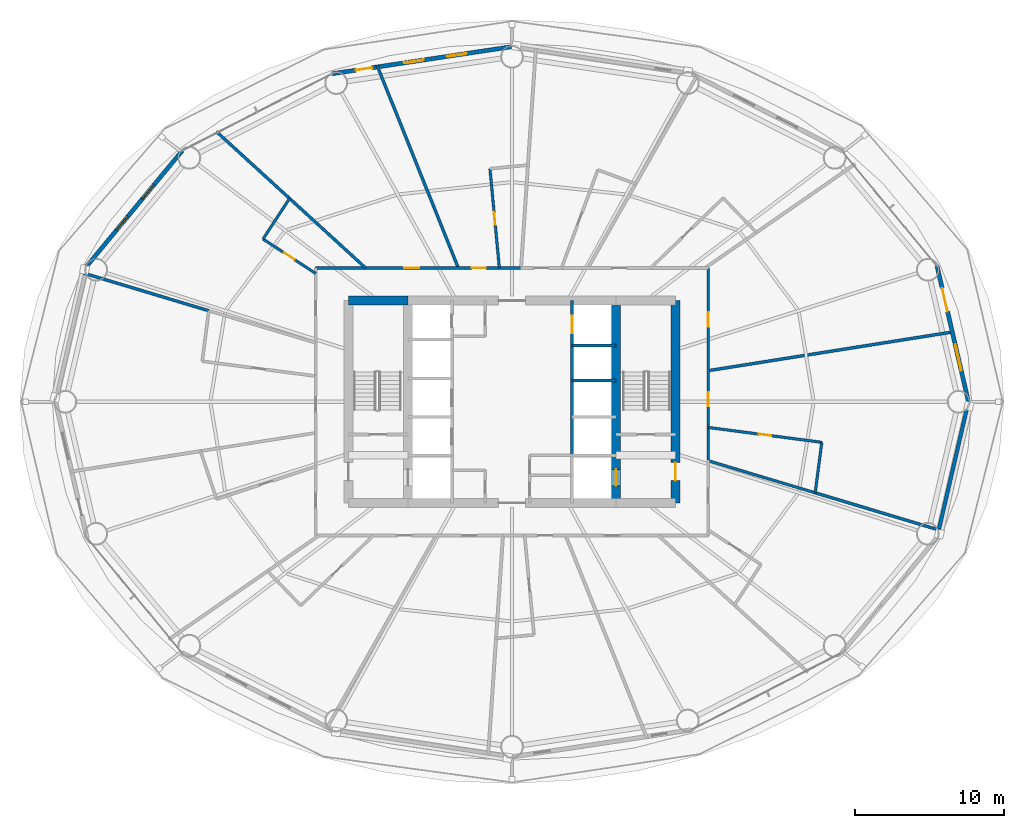
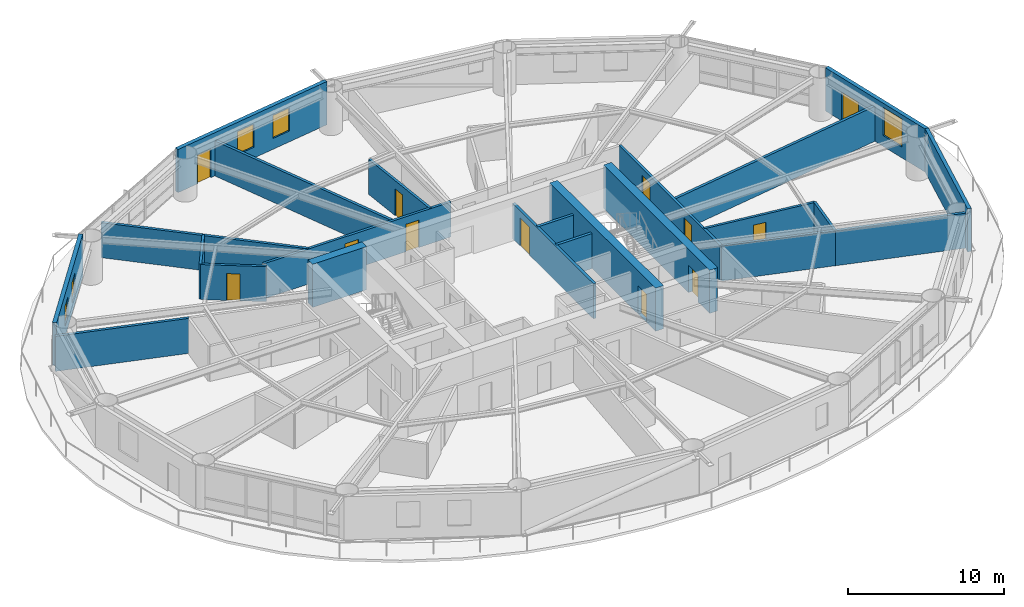
# One storey, part 24 of 28: 23 walls, 12 doors, 5 windows, 17 openings.
"""IFC4 building model written with IfcOpenShell, lengths in metres."""

from ifc_helpers import new_model, si_unit, direction, frame, frame_2d, origin, place, context, subcontext, project, spatial, rectangle, extrude, material, layer, layer_set, type_object, element, fill, save


model = new_model("IFC4")

# Units and contexts
model_context = context("Model", 3, precision=1e-05, world=origin(), true_north=direction((0.0, 1.0)))
body_context = subcontext(model_context, "Body", "Model", "MODEL_VIEW")
ifc_project = project(units=[si_unit("LENGTHUNIT", "METRE"), si_unit("AREAUNIT", "SQUARE_METRE"), si_unit("VOLUMEUNIT", "CUBIC_METRE"), si_unit("PLANEANGLEUNIT", "RADIAN"), si_unit("MASSUNIT", "GRAM", prefix="KILO")], contexts=[model_context])

# Site, building, storey
site_placement = place(None, origin())
site = spatial("IfcSite", under=ifc_project, at=site_placement, CompositionType="ELEMENT")
building_placement = place(site_placement, origin())
building = spatial("IfcBuilding", under=site, at=building_placement, Name="Sarneth Arch Tower", CompositionType="ELEMENT")
storey_placement = place(building_placement, frame((0.0, 0.0, 67.800048828125)))
storey = spatial("IfcBuildingStorey", under=building, at=storey_placement, Name="L16", CompositionType="ELEMENT", Elevation=67.800048828125)

# Wall
ifc_material_1 = material(Name="Concrete C60/75", Category="concrete")
ifc_layer_1 = layer(ifc_material_1, 0.60009765625)
ifc_layer_set_1 = layer_set([ifc_layer_1], Name="Concrete C60/75")
wall_type_1 = type_object("IfcWallType", Name="WALL-CORE-600", PredefinedType="SHEAR", material=ifc_layer_set_1)
wall_1_placement = place(storey_placement, frame((37.0, 48.800048828125, 0.0), z_axis=(0.0, 0.0, 1.0), x_axis=(1.0, 0.0, 0.0)))
element("IfcWall", 1, at=wall_1_placement, inside=storey, type_object=wall_type_1, Name="L16 Core shear wall N-W", PredefinedType="SHEAR", context=body_context, shape_type="SweptSolid", body=[
    extrude(rectangle(XDim=4.0, YDim=0.60009765625, at=frame_2d((2.0, 0.0))), origin(), (0.0, 0.0, 1.0), 3.3798828125),
])

# Wall, opening, door
wall_2_placement = place(storey_placement, frame((59.0, 35.199951171875, 0.0), z_axis=(0.0, 0.0, 1.0), x_axis=(0.0, 1.0, 0.0)))
wall_2 = element("IfcWall", 2, at=wall_2_placement, inside=storey, type_object=wall_type_1, Name="L16 Core shear wall E", PredefinedType="SHEAR", context=body_context, shape_type="SweptSolid", body=[
    extrude(rectangle(XDim=13.60009765625, YDim=0.60009765625, at=frame_2d((6.800048828125, 0.0))), origin(), (0.0, 0.0, 1.0), 3.3798828125),
])
opening_1_placement = place(wall_2_placement, frame((1.5, 0.0, 0.0)))
opening_1 = element("IfcOpeningElement", 3, at=opening_1_placement, cuts=wall_2, Name="Opening FD-02", PredefinedType="OPENING", context=body_context, shape_type="SweptSolid", body=[
    extrude(rectangle(XDim=1.199951171875, YDim=2.14990234375, at=frame_2d((0.60009765625, 1.074951171875))), frame((0.0, 0.31005859375, 0.0), z_axis=(0.0, -1.0, 0.0), x_axis=(1.0, 0.0, 0.0)), (0.0, 0.0, 1.0), 0.6201171875),
])
ifc_material_2 = material(Name="Galvanised Steel S275 fire door set", Category="steel")
door_type_1 = type_object("IfcDoorType", Name="DR-FD90-1200", OperationType="SINGLE_SWING_LEFT", PredefinedType="DOOR", material=ifc_material_2)
door_1_placement = place(opening_1_placement, origin())
door_1 = element("IfcDoor", 4, at=door_1_placement, inside=storey, type_object=door_type_1, Name="L16 Firefighting lobby 2 exit door", OperationType="SINGLE_SWING_RIGHT", OverallHeight=2.14990234375, OverallWidth=1.199951171875, PredefinedType="DOOR", context=body_context, shape_type="SweptSolid", body=[
    extrude(rectangle(XDim=1.199951171875, YDim=2.14990234375, at=frame_2d((0.60009765625, 1.074951171875))), frame((0.0, 0.02490234375, 0.0), z_axis=(0.0, -1.0, 0.0), x_axis=(1.0, 0.0, 0.0)), (0.0, 0.0, 1.0), 0.050048828125),
])
fill(opening_1, door_1)

wall_3_placement = place(storey_placement, frame((55.0, 35.199951171875, 0.0), z_axis=(0.0, 0.0, 1.0), x_axis=(0.0, 1.0, 0.0)))
wall_3 = element("IfcWall", 5, at=wall_3_placement, inside=storey, type_object=wall_type_1, Name="L16 Core shear wall WEB-E", PredefinedType="SHEAR", context=body_context, shape_type="SweptSolid", body=[
    extrude(rectangle(XDim=13.60009765625, YDim=0.60009765625, at=frame_2d((6.800048828125, 0.0))), origin(), (0.0, 0.0, 1.0), 3.3798828125),
])
opening_2_placement = place(wall_3_placement, frame((1.14990234375, 0.0, 0.0)))
opening_2 = element("IfcOpeningElement", 6, at=opening_2_placement, cuts=wall_3, Name="Opening LD-1", PredefinedType="OPENING", context=body_context, shape_type="SweptSolid", body=[
    extrude(rectangle(XDim=1.10009765625, YDim=2.199951171875, at=frame_2d((0.550048828125, 1.10009765625))), frame((0.0, 0.31005859375, 0.0), z_axis=(0.0, -1.0, 0.0), x_axis=(1.0, 0.0, 0.0)), (0.0, 0.0, 1.0), 0.6201171875),
])
ifc_material_3 = material(Name="Brushed Stainless Steel 304 lift landing door", Category="steel")
door_type_2 = type_object("IfcDoorType", Name="DR-LIFT-SLIDE-1100", OperationType="SLIDING_TO_LEFT", PredefinedType="DOOR", material=ifc_material_3)
door_2_placement = place(opening_2_placement, origin())
door_2 = element("IfcDoor", 7, at=door_2_placement, inside=storey, type_object=door_type_2, Name="L16 Firefighting lift landing door FL-2", OperationType="SLIDING_TO_RIGHT", OverallHeight=2.199951171875, OverallWidth=1.10009765625, PredefinedType="DOOR", context=body_context, shape_type="SweptSolid", body=[
    extrude(rectangle(XDim=1.10009765625, YDim=2.199951171875, at=frame_2d((0.550048828125, 1.10009765625))), frame((0.0, 0.02490234375, 0.0), z_axis=(0.0, -1.0, 0.0), x_axis=(1.0, 0.0, 0.0)), (0.0, 0.0, 1.0), 0.050048828125),
])
fill(opening_2, door_2)

# Wall, openings, doors
ifc_material_4 = material(Name="Double steel-stud corridor fire wall", Category="steel")
ifc_layer_2 = layer(ifc_material_4, 0.18994140625)
ifc_layer_set_2 = layer_set([ifc_layer_2], Name="Double steel-stud corridor fire wall")
wall_type_2 = type_object("IfcWallType", Name="WALL-CORR-190", PredefinedType="PARTITIONING", material=ifc_layer_set_2)
wall_4_placement = place(storey_placement, frame((61.199951171875, 51.0, 0.0), z_axis=(0.0, 0.0, 1.0), x_axis=(0.0, -1.0, 0.0)))
wall_4 = element("IfcWall", 8, at=wall_4_placement, inside=storey, type_object=wall_type_2, Name="L16 Interior partition W-L16-TP-002", PredefinedType="PARTITIONING", context=body_context, shape_type="SweptSolid", body=[
    extrude(rectangle(XDim=12.9638671875, YDim=0.18994140625, at=frame_2d((6.48193359375, 0.0))), origin(), (0.0, 0.0, 1.0), 2.739990234375),
])
opening_3_placement = place(wall_4_placement, frame((2.970703125, 0.0, 0.0)))
opening_3 = element("IfcOpeningElement", 9, at=opening_3_placement, cuts=wall_4, Name="Opening FD-08", PredefinedType="OPENING", context=body_context, shape_type="SweptSolid", body=[
    extrude(rectangle(XDim=1.0, YDim=2.199951171875, at=frame_2d((0.5, 1.10009765625))), frame((0.0, 0.10498046875, 0.0), z_axis=(0.0, -1.0, 0.0), x_axis=(1.0, 0.0, 0.0)), (0.0, 0.0, 1.0), 0.2099609375),
])
opening_4_placement = place(wall_4_placement, frame((8.343505859375, 0.0, 0.0)))
opening_4 = element("IfcOpeningElement", 10, at=opening_4_placement, cuts=wall_4, Name="Opening FD-09", PredefinedType="OPENING", context=body_context, shape_type="SweptSolid", body=[
    extrude(rectangle(XDim=0.949951171875, YDim=2.14990234375, at=frame_2d((0.47509765625, 1.074951171875))), frame((0.0, 0.10498046875, 0.0), z_axis=(0.0, -1.0, 0.0), x_axis=(1.0, 0.0, 0.0)), (0.0, 0.0, 1.0), 0.2099609375),
])
ifc_material_5 = material(Name="Hardwood timber acoustic fire door", Category="wood")
door_type_3 = type_object("IfcDoorType", Name="DR-FD60-1000", OperationType="SINGLE_SWING_LEFT", PredefinedType="DOOR", material=ifc_material_5)
door_3_placement = place(opening_3_placement, origin())
door_3 = element("IfcDoor", 11, at=door_3_placement, inside=storey, type_object=door_type_3, Name="L16 Interior door DR-L16-AMN-01", OperationType="SINGLE_SWING_LEFT", OverallHeight=2.199951171875, OverallWidth=1.0, PredefinedType="DOOR", context=body_context, shape_type="SweptSolid", body=[
    extrude(rectangle(XDim=1.0, YDim=2.199951171875, at=frame_2d((0.5, 1.10009765625))), frame((0.0, 0.02490234375, 0.0), z_axis=(0.0, -1.0, 0.0), x_axis=(1.0, 0.0, 0.0)), (0.0, 0.0, 1.0), 0.050048828125),
])
fill(opening_3, door_3)
ifc_material_6 = material(Name="Hardwood timber hotel entrance fire door", Category="wood")
door_type_4 = type_object("IfcDoorType", Name="DR-FD60-950", OperationType="SINGLE_SWING_RIGHT", PredefinedType="DOOR", material=ifc_material_6)
door_4_placement = place(opening_4_placement, origin())
door_4 = element("IfcDoor", 12, at=door_4_placement, inside=storey, type_object=door_type_4, Name="L16 Interior door DR-L16-KEY-14", OperationType="SINGLE_SWING_LEFT", OverallHeight=2.14990234375, OverallWidth=0.949951171875, PredefinedType="DOOR", context=body_context, shape_type="SweptSolid", body=[
    extrude(rectangle(XDim=0.949951171875, YDim=2.14990234375, at=frame_2d((0.47509765625, 1.074951171875))), frame((0.0, 0.02490234375, 0.0), z_axis=(0.0, -1.0, 0.0), x_axis=(1.0, 0.0, 0.0)), (0.0, 0.0, 1.0), 0.050048828125),
])
fill(opening_4, door_4)

wall_5_placement = place(storey_placement, frame((34.800048828125, 51.0, 0.0), z_axis=(0.0, 0.0, 1.0), x_axis=(1.0, 0.0, 0.0)))
wall_5 = element("IfcWall", 13, at=wall_5_placement, inside=storey, type_object=wall_type_2, Name="L16 Interior partition W-L16-TP-009", PredefinedType="PARTITIONING", context=body_context, shape_type="SweptSolid", body=[
    extrude(rectangle(XDim=13.8388671875, YDim=0.18994140625, at=frame_2d((6.91943359375, 0.0))), origin(), (0.0, 0.0, 1.0), 2.739990234375),
])
opening_5_placement = place(wall_5_placement, frame((5.96533203125, 0.0, 0.0)))
opening_5 = element("IfcOpeningElement", 14, at=opening_5_placement, cuts=wall_5, Name="Opening FD-08", PredefinedType="OPENING", context=body_context, shape_type="SweptSolid", body=[
    extrude(rectangle(XDim=1.0, YDim=2.199951171875, at=frame_2d((0.5, 1.10009765625))), frame((0.0, 0.10498046875, 0.0), z_axis=(0.0, -1.0, 0.0), x_axis=(1.0, 0.0, 0.0)), (0.0, 0.0, 1.0), 0.2099609375),
])
opening_6_placement = place(wall_5_placement, frame((10.493408203125, 0.0, 0.0)))
opening_6 = element("IfcOpeningElement", 15, at=opening_6_placement, cuts=wall_5, Name="Opening FD-09", PredefinedType="OPENING", context=body_context, shape_type="SweptSolid", body=[
    extrude(rectangle(XDim=0.949951171875, YDim=2.14990234375, at=frame_2d((0.47509765625, 1.074951171875))), frame((0.0, 0.10498046875, 0.0), z_axis=(0.0, -1.0, 0.0), x_axis=(1.0, 0.0, 0.0)), (0.0, 0.0, 1.0), 0.2099609375),
])
door_5_placement = place(opening_5_placement, origin())
door_5 = element("IfcDoor", 16, at=door_5_placement, inside=storey, type_object=door_type_3, Name="L16 Interior door DR-L16-AMN-05", OperationType="SINGLE_SWING_LEFT", OverallHeight=2.199951171875, OverallWidth=1.0, PredefinedType="DOOR", context=body_context, shape_type="SweptSolid", body=[
    extrude(rectangle(XDim=1.0, YDim=2.199951171875, at=frame_2d((0.5, 1.10009765625))), frame((0.0, 0.02490234375, 0.0), z_axis=(0.0, -1.0, 0.0), x_axis=(1.0, 0.0, 0.0)), (0.0, 0.0, 1.0), 0.050048828125),
])
fill(opening_5, door_5)
door_6_placement = place(opening_6_placement, origin())
door_6 = element("IfcDoor", 17, at=door_6_placement, inside=storey, type_object=door_type_4, Name="L16 Interior door DR-L16-KEY-04", OperationType="SINGLE_SWING_LEFT", OverallHeight=2.14990234375, OverallWidth=0.949951171875, PredefinedType="DOOR", context=body_context, shape_type="SweptSolid", body=[
    extrude(rectangle(XDim=0.949951171875, YDim=2.14990234375, at=frame_2d((0.47509765625, 1.074951171875))), frame((0.0, 0.02490234375, 0.0), z_axis=(0.0, -1.0, 0.0), x_axis=(1.0, 0.0, 0.0)), (0.0, 0.0, 1.0), 0.050048828125),
])
fill(opening_6, door_6)

# Wall
ifc_material_7 = material(Name="Extruded terracotta rainscreen on Concrete C40/50 backing", Category="masonry")
ifc_layer_3 = layer(ifc_material_7, 0.25)
ifc_layer_set_3 = layer_set([ifc_layer_3], Name="Extruded terracotta rainscreen on Concrete C40/50 backing")
wall_type_3 = type_object("IfcWallType", Name="WALL-EXT-SPAND-250", PredefinedType="SOLIDWALL", material=ifc_layer_set_3)
wall_6_placement = place(storey_placement, frame((76.5810546875, 32.861572265625, 0.0), z_axis=(0.0, 0.0, 1.0), x_axis=(0.225454452941, 0.974253709076, 0.0)))
element("IfcWall", 18, at=wall_6_placement, inside=storey, type_object=wall_type_3, Name="L16 Terracotta perimeter wall 16", PredefinedType="SOLIDWALL", context=body_context, shape_type="SweptSolid", body=[
    extrude(rectangle(XDim=9.3798828125, YDim=0.25, at=frame_2d((4.68994140625, 0.0))), origin(), (0.0, 0.0, 1.0), 3.3798828125),
])

# Wall, openings, door, window
ifc_material_8 = material(Name="Extruded terracotta rainscreen on Concrete C40/50 backing", Category="masonry")
ifc_layer_4 = layer(ifc_material_8, 0.280029296875)
ifc_layer_set_4 = layer_set([ifc_layer_4], Name="Extruded terracotta rainscreen on Concrete C40/50 backing")
wall_type_4 = type_object("IfcWallType", Name="WALL-EXT-TERRA-280", PredefinedType="SOLIDWALL", material=ifc_layer_set_4)
wall_7_placement = place(storey_placement, frame((78.69580078125, 42.0, 0.0), z_axis=(0.0, 0.0, 1.0), x_axis=(-0.225454452941, 0.974253709076, 0.0)))
wall_7 = element("IfcWall", 19, at=wall_7_placement, inside=storey, type_object=wall_type_4, Name="L16 Terracotta perimeter wall 01", PredefinedType="SOLIDWALL", context=body_context, shape_type="SweptSolid", body=[
    extrude(rectangle(XDim=9.3798828125, YDim=0.280029296875, at=frame_2d((4.68994140625, 0.0))), origin(), (0.0, 0.0, 1.0), 3.3798828125),
])
opening_7_placement = place(wall_7_placement, frame((2.152099609375, 0.0, 0.85009765625)))
opening_7 = element("IfcOpeningElement", 20, at=opening_7_placement, cuts=wall_7, Name="Opening W-04", PredefinedType="OPENING", context=body_context, shape_type="SweptSolid", body=[
    extrude(rectangle(XDim=1.800048828125, YDim=2.199951171875, at=frame_2d((0.89990234375, 1.10009765625))), frame((0.0, 0.14990234375, 0.0), z_axis=(0.0, -1.0, 0.0), x_axis=(1.0, 0.0, 0.0)), (0.0, 0.0, 1.0), 0.300048828125),
])
opening_8_placement = place(wall_7_placement, frame((6.235107421875, 0.0, 0.0)))
opening_8 = element("IfcOpeningElement", 21, at=opening_8_placement, cuts=wall_7, Name="Opening BD-1", PredefinedType="OPENING", context=body_context, shape_type="SweptSolid", body=[
    extrude(rectangle(XDim=1.60009765625, YDim=2.25, at=frame_2d((0.800048828125, 1.125))), frame((0.0, 0.14990234375, 0.0), z_axis=(0.0, -1.0, 0.0), x_axis=(1.0, 0.0, 0.0)), (0.0, 0.0, 1.0), 0.300048828125),
])
ifc_material_9 = material(Name="Thermally broken Aluminium 6063-T6 and laminated safety glass", Category="aluminium")
door_type_5 = type_object("IfcDoorType", Name="DR-BALC-GLZ-1600", OperationType="DOUBLE_DOOR_SINGLE_SWING", PredefinedType="DOOR", material=ifc_material_9)
door_7_placement = place(opening_8_placement, origin())
door_7 = element("IfcDoor", 22, at=door_7_placement, inside=storey, type_object=door_type_5, Name="L16 Balcony glazed door 01", OperationType="DOUBLE_DOOR_SINGLE_SWING", OverallHeight=2.25, OverallWidth=1.60009765625, PredefinedType="DOOR", context=body_context, shape_type="SweptSolid", body=[
    extrude(rectangle(XDim=1.60009765625, YDim=2.25, at=frame_2d((0.800048828125, 1.125))), frame((0.0, 0.02490234375, 0.0), z_axis=(0.0, -1.0, 0.0), x_axis=(1.0, 0.0, 0.0)), (0.0, 0.0, 1.0), 0.050048828125),
])
fill(opening_8, door_7)
ifc_material_10 = material(Name="Thermally broken Aluminium 6063-T6 and low-e laminated IGU", Category="aluminium")
window_type_1 = type_object("IfcWindowType", Name="WIN-TWR-1800x2200", PartitioningType="DOUBLE_PANEL_VERTICAL", PredefinedType="WINDOW", material=ifc_material_10)
window_1_placement = place(opening_7_placement, origin())
window_1 = element("IfcWindow", 23, at=window_1_placement, inside=storey, type_object=window_type_1, Name="L16 Exterior window 01A", OverallHeight=2.199951171875, OverallWidth=1.800048828125, PartitioningType="SINGLE_PANEL", PredefinedType="WINDOW", context=body_context, shape_type="SweptSolid", body=[
    extrude(rectangle(XDim=1.800048828125, YDim=2.199951171875, at=frame_2d((0.89990234375, 1.10009765625))), frame((0.0, 0.030029296875, 0.0), z_axis=(0.0, -1.0, 0.0), x_axis=(1.0, 0.0, 0.0)), (0.0, 0.0, 1.0), 0.06005859375),
])
fill(opening_7, window_1)

# Wall, openings, door, windows
wall_8_placement = place(storey_placement, frame((48.0, 65.8798828125, 0.0), z_axis=(0.0, 0.0, 1.0), x_axis=(-0.988864835849, -0.148816452121, 0.0)))
wall_8 = element("IfcWall", 24, at=wall_8_placement, inside=storey, type_object=wall_type_4, Name="L16 Terracotta perimeter wall 05", PredefinedType="SOLIDWALL", context=body_context, shape_type="SweptSolid", body=[
    extrude(rectangle(XDim=12.2138671875, YDim=0.280029296875, at=frame_2d((6.10693359375, 0.0))), origin(), (0.0, 0.0, 1.0), 3.3798828125),
])
opening_9_placement = place(wall_8_placement, frame((3.07177734375, 0.0, 0.85009765625)))
opening_9 = element("IfcOpeningElement", 25, at=opening_9_placement, cuts=wall_8, Name="Opening W-08", PredefinedType="OPENING", context=body_context, shape_type="SweptSolid", body=[
    extrude(rectangle(XDim=1.35009765625, YDim=1.800048828125, at=frame_2d((0.675048828125, 0.89990234375))), frame((0.0, 0.14990234375, 0.0), z_axis=(0.0, -1.0, 0.0), x_axis=(1.0, 0.0, 0.0)), (0.0, 0.0, 1.0), 0.300048828125),
])
opening_10_placement = place(wall_8_placement, frame((5.992431640625, 0.0, 0.85009765625)))
opening_10 = element("IfcOpeningElement", 26, at=opening_10_placement, cuts=wall_8, Name="Opening W-08", PredefinedType="OPENING", context=body_context, shape_type="SweptSolid", body=[
    extrude(rectangle(XDim=1.35009765625, YDim=1.800048828125, at=frame_2d((0.675048828125, 0.89990234375))), frame((0.0, 0.14990234375, 0.0), z_axis=(0.0, -1.0, 0.0), x_axis=(1.0, 0.0, 0.0)), (0.0, 0.0, 1.0), 0.300048828125),
])
opening_11_placement = place(wall_8_placement, frame((9.520263671875, 0.0, 0.0)))
opening_11 = element("IfcOpeningElement", 27, at=opening_11_placement, cuts=wall_8, Name="Opening BD-3", PredefinedType="OPENING", context=body_context, shape_type="SweptSolid", body=[
    extrude(rectangle(XDim=1.10009765625, YDim=2.25, at=frame_2d((0.550048828125, 1.125))), frame((0.0, 0.14990234375, 0.0), z_axis=(0.0, -1.0, 0.0), x_axis=(1.0, 0.0, 0.0)), (0.0, 0.0, 1.0), 0.300048828125),
])
ifc_material_11 = material(Name="Thermally broken Aluminium 6063-T6 and laminated safety glass", Category="aluminium")
door_type_6 = type_object("IfcDoorType", Name="DR-BALC-GLZ-1100", OperationType="SINGLE_SWING_LEFT", PredefinedType="DOOR", material=ifc_material_11)
door_8_placement = place(opening_11_placement, origin())
door_8 = element("IfcDoor", 28, at=door_8_placement, inside=storey, type_object=door_type_6, Name="L16 Balcony glazed door 05", OperationType="SINGLE_SWING_LEFT", OverallHeight=2.25, OverallWidth=1.10009765625, PredefinedType="DOOR", context=body_context, shape_type="SweptSolid", body=[
    extrude(rectangle(XDim=1.10009765625, YDim=2.25, at=frame_2d((0.550048828125, 1.125))), frame((0.0, 0.02490234375, 0.0), z_axis=(0.0, -1.0, 0.0), x_axis=(1.0, 0.0, 0.0)), (0.0, 0.0, 1.0), 0.050048828125),
])
fill(opening_11, door_8)
ifc_material_12 = material(Name="Thermally broken Aluminium 6063-T6 and low-e laminated IGU", Category="aluminium")
window_type_2 = type_object("IfcWindowType", Name="WIN-TWR-1350x1800", PartitioningType="SINGLE_PANEL", PredefinedType="WINDOW", material=ifc_material_12)
window_2_placement = place(opening_9_placement, origin())
window_2 = element("IfcWindow", 29, at=window_2_placement, inside=storey, type_object=window_type_2, Name="L16 Exterior window 05A", OverallHeight=1.800048828125, OverallWidth=1.35009765625, PartitioningType="SINGLE_PANEL", PredefinedType="WINDOW", context=body_context, shape_type="SweptSolid", body=[
    extrude(rectangle(XDim=1.35009765625, YDim=1.800048828125, at=frame_2d((0.675048828125, 0.89990234375))), frame((0.0, 0.030029296875, 0.0), z_axis=(0.0, -1.0, 0.0), x_axis=(1.0, 0.0, 0.0)), (0.0, 0.0, 1.0), 0.06005859375),
])
fill(opening_9, window_2)
window_3_placement = place(opening_10_placement, origin())
window_3 = element("IfcWindow", 30, at=window_3_placement, inside=storey, type_object=window_type_2, Name="L16 Exterior window 05B", OverallHeight=1.800048828125, OverallWidth=1.35009765625, PartitioningType="SINGLE_PANEL", PredefinedType="WINDOW", context=body_context, shape_type="SweptSolid", body=[
    extrude(rectangle(XDim=1.35009765625, YDim=1.800048828125, at=frame_2d((0.675048828125, 0.89990234375))), frame((0.0, 0.030029296875, 0.0), z_axis=(0.0, -1.0, 0.0), x_axis=(1.0, 0.0, 0.0)), (0.0, 0.0, 1.0), 0.06005859375),
])
fill(opening_10, window_3)

# Wall, openings, windows
wall_9_placement = place(storey_placement, frame((25.825927734375, 58.8857421875, 0.0), z_axis=(0.0, 0.0, 1.0), x_axis=(-0.637296809613, -0.770618437657, 0.0)))
wall_9 = element("IfcWall", 31, at=wall_9_placement, inside=storey, type_object=wall_type_4, Name="L16 Terracotta perimeter wall 07", PredefinedType="SOLIDWALL", context=body_context, shape_type="SweptSolid", body=[
    extrude(rectangle(XDim=10.053466796875, YDim=0.280029296875, at=frame_2d((5.02685546875, 0.0))), origin(), (0.0, 0.0, 1.0), 3.3798828125),
])
opening_12_placement = place(wall_9_placement, frame((2.998046875, 0.0, 0.85009765625)))
opening_12 = element("IfcOpeningElement", 32, at=opening_12_placement, cuts=wall_9, Name="Opening W-10", PredefinedType="OPENING", context=body_context, shape_type="SweptSolid", body=[
    extrude(rectangle(XDim=1.199951171875, YDim=1.60009765625, at=frame_2d((0.60009765625, 0.800048828125))), frame((0.0, 0.14990234375, 0.0), z_axis=(0.0, -1.0, 0.0), x_axis=(1.0, 0.0, 0.0)), (0.0, 0.0, 1.0), 0.300048828125),
])
opening_13_placement = place(wall_9_placement, frame((5.729736328125, 0.0, 0.85009765625)))
opening_13 = element("IfcOpeningElement", 33, at=opening_13_placement, cuts=wall_9, Name="Opening W-10", PredefinedType="OPENING", context=body_context, shape_type="SweptSolid", body=[
    extrude(rectangle(XDim=1.199951171875, YDim=1.60009765625, at=frame_2d((0.60009765625, 0.800048828125))), frame((0.0, 0.14990234375, 0.0), z_axis=(0.0, -1.0, 0.0), x_axis=(1.0, 0.0, 0.0)), (0.0, 0.0, 1.0), 0.300048828125),
])
ifc_material_13 = material(Name="Thermally broken Aluminium 6063-T6 and low-e laminated IGU", Category="aluminium")
window_type_3 = type_object("IfcWindowType", Name="WIN-TWR-1200x1600", PartitioningType="SINGLE_PANEL", PredefinedType="WINDOW", material=ifc_material_13)
window_4_placement = place(opening_12_placement, origin())
window_4 = element("IfcWindow", 34, at=window_4_placement, inside=storey, type_object=window_type_3, Name="L16 Exterior window 07A", OverallHeight=1.60009765625, OverallWidth=1.199951171875, PartitioningType="SINGLE_PANEL", PredefinedType="WINDOW", context=body_context, shape_type="SweptSolid", body=[
    extrude(rectangle(XDim=1.199951171875, YDim=1.60009765625, at=frame_2d((0.60009765625, 0.800048828125))), frame((0.0, 0.030029296875, 0.0), z_axis=(0.0, -1.0, 0.0), x_axis=(1.0, 0.0, 0.0)), (0.0, 0.0, 1.0), 0.06005859375),
])
fill(opening_12, window_4)
window_5_placement = place(opening_13_placement, origin())
window_5 = element("IfcWindow", 35, at=window_5_placement, inside=storey, type_object=window_type_3, Name="L16 Exterior window 07B", OverallHeight=1.60009765625, OverallWidth=1.199951171875, PartitioningType="SINGLE_PANEL", PredefinedType="WINDOW", context=body_context, shape_type="SweptSolid", body=[
    extrude(rectangle(XDim=1.199951171875, YDim=1.60009765625, at=frame_2d((0.60009765625, 0.800048828125))), frame((0.0, 0.030029296875, 0.0), z_axis=(0.0, -1.0, 0.0), x_axis=(1.0, 0.0, 0.0)), (0.0, 0.0, 1.0), 0.06005859375),
])
fill(opening_13, window_5)

# Wall, opening, door
ifc_material_14 = material(Name="Moisture-resistant plumbing chase wall", Category="gypsum")
ifc_layer_5 = layer(ifc_material_14, 0.179931640625)
ifc_layer_set_5 = layer_set([ifc_layer_5], Name="Moisture-resistant plumbing chase wall")
wall_type_5 = type_object("IfcWallType", Name="WALL-PLUMB-180", PredefinedType="PLUMBINGWALL", material=ifc_layer_set_5)
wall_10_placement = place(storey_placement, frame((61.199951171875, 40.272216796875, 0.0), z_axis=(0.0, 0.0, 1.0), x_axis=(0.991543548491, -0.129774386708, 0.0)))
wall_10 = element("IfcWall", 36, at=wall_10_placement, inside=storey, type_object=wall_type_5, Name="L16 Interior partition W-L16-TP-071", PredefinedType="PLUMBINGWALL", context=body_context, shape_type="SweptSolid", body=[
    extrude(rectangle(XDim=7.6982421875, YDim=0.179931640625, at=frame_2d((3.84912109375, 0.0))), origin(), (0.0, 0.0, 1.0), 2.739990234375),
])
opening_14_placement = place(wall_10_placement, frame((3.424072265625, 0.0, 0.0)))
opening_14 = element("IfcOpeningElement", 37, at=opening_14_placement, cuts=wall_10, Name="Opening ID-02", PredefinedType="OPENING", context=body_context, shape_type="SweptSolid", body=[
    extrude(rectangle(XDim=0.85009765625, YDim=2.10009765625, at=frame_2d((0.425048828125, 1.050048828125))), frame((0.0, 0.099853515625, 0.0), z_axis=(0.0, -1.0, 0.0), x_axis=(1.0, 0.0, 0.0)), (0.0, 0.0, 1.0), 0.199951171875),
])
ifc_material_15 = material(Name="Moisture-resistant bathroom timber door", Category="wood")
door_type_7 = type_object("IfcDoorType", Name="DR-INT-850", OperationType="SINGLE_SWING_RIGHT", PredefinedType="DOOR", material=ifc_material_15)
door_9_placement = place(opening_14_placement, origin())
door_9 = element("IfcDoor", 38, at=door_9_placement, inside=storey, type_object=door_type_7, Name="L16 Interior door DR-L16-ENS-14", OperationType="SINGLE_SWING_LEFT", OverallHeight=2.10009765625, OverallWidth=0.85009765625, PredefinedType="DOOR", context=body_context, shape_type="SweptSolid", body=[
    extrude(rectangle(XDim=0.85009765625, YDim=2.10009765625, at=frame_2d((0.425048828125, 1.050048828125))), frame((0.0, 0.02490234375, 0.0), z_axis=(0.0, -1.0, 0.0), x_axis=(1.0, 0.0, 0.0)), (0.0, 0.0, 1.0), 0.050048828125),
])
fill(opening_14, door_9)

# Wall
wall_11_placement = place(storey_placement, frame((68.388427734375, 35.877685546875, 0.0), z_axis=(0.0, 0.0, 1.0), x_axis=(-0.95775642604, 0.28758064674, 0.0)))
element("IfcWall", 39, at=wall_11_placement, inside=storey, type_object=wall_type_5, Name="L16 Interior partition W-L16-TP-070", PredefinedType="PLUMBINGWALL", context=body_context, shape_type="SweptSolid", body=[
    extrude(rectangle(XDim=7.505615234375, YDim=0.179931640625, at=frame_2d((3.7529296875, 0.0))), origin(), (0.0, 0.0, 1.0), 2.739990234375),
])

# Wall, opening, door
wall_12_placement = place(storey_placement, frame((46.518310546875, 57.673828125, 0.0), z_axis=(0.0, 0.0, 1.0), x_axis=(0.094107851527, -0.995562008255, 0.0)))
wall_12 = element("IfcWall", 40, at=wall_12_placement, inside=storey, type_object=wall_type_5, Name="L16 Interior partition W-L16-TP-041", PredefinedType="PLUMBINGWALL", context=body_context, shape_type="SweptSolid", body=[
    extrude(rectangle(XDim=6.70361328125, YDim=0.179931640625, at=frame_2d((3.351806640625, 0.0))), origin(), (0.0, 0.0, 1.0), 2.739990234375),
])
opening_15_placement = place(wall_12_placement, frame((2.9267578125, 0.0, 0.0)))
opening_15 = element("IfcOpeningElement", 41, at=opening_15_placement, cuts=wall_12, Name="Opening ID-02", PredefinedType="OPENING", context=body_context, shape_type="SweptSolid", body=[
    extrude(rectangle(XDim=0.85009765625, YDim=2.10009765625, at=frame_2d((0.425048828125, 1.050048828125))), frame((0.0, 0.099853515625, 0.0), z_axis=(0.0, -1.0, 0.0), x_axis=(1.0, 0.0, 0.0)), (0.0, 0.0, 1.0), 0.199951171875),
])
door_10_placement = place(opening_15_placement, origin())
door_10 = element("IfcDoor", 42, at=door_10_placement, inside=storey, type_object=door_type_7, Name="L16 Interior door DR-L16-ENS-04", OperationType="SINGLE_SWING_RIGHT", OverallHeight=2.10009765625, OverallWidth=0.85009765625, PredefinedType="DOOR", context=body_context, shape_type="SweptSolid", body=[
    extrude(rectangle(XDim=0.85009765625, YDim=2.10009765625, at=frame_2d((0.425048828125, 1.050048828125))), frame((0.0, 0.02490234375, 0.0), z_axis=(0.0, -1.0, 0.0), x_axis=(1.0, 0.0, 0.0)), (0.0, 0.0, 1.0), 0.050048828125),
])
fill(opening_15, door_10)

wall_13_placement = place(storey_placement, frame((31.25830078125, 52.943603515625, 0.0), z_axis=(0.0, 0.0, 1.0), x_axis=(0.837031612028, -0.5471545307, 0.0)))
wall_13 = element("IfcWall", 43, at=wall_13_placement, inside=storey, type_object=wall_type_5, Name="L16 Interior partition W-L16-TP-046", PredefinedType="PLUMBINGWALL", context=body_context, shape_type="SweptSolid", body=[
    extrude(rectangle(XDim=4.231201171875, YDim=0.179931640625, at=frame_2d((2.11572265625, 0.0))), origin(), (0.0, 0.0, 1.0), 2.739990234375),
])
opening_16_placement = place(wall_13_placement, frame((1.690673828125, 0.0, 0.0)))
opening_16 = element("IfcOpeningElement", 44, at=opening_16_placement, cuts=wall_13, Name="Opening ID-02", PredefinedType="OPENING", context=body_context, shape_type="SweptSolid", body=[
    extrude(rectangle(XDim=0.85009765625, YDim=2.10009765625, at=frame_2d((0.425048828125, 1.050048828125))), frame((0.0, 0.099853515625, 0.0), z_axis=(0.0, -1.0, 0.0), x_axis=(1.0, 0.0, 0.0)), (0.0, 0.0, 1.0), 0.199951171875),
])
door_11_placement = place(opening_16_placement, origin())
door_11 = element("IfcDoor", 45, at=door_11_placement, inside=storey, type_object=door_type_7, Name="L16 Interior door DR-L16-ENS-06", OperationType="SINGLE_SWING_LEFT", OverallHeight=2.10009765625, OverallWidth=0.85009765625, PredefinedType="DOOR", context=body_context, shape_type="SweptSolid", body=[
    extrude(rectangle(XDim=0.85009765625, YDim=2.10009765625, at=frame_2d((0.425048828125, 1.050048828125))), frame((0.0, 0.02490234375, 0.0), z_axis=(0.0, -1.0, 0.0), x_axis=(1.0, 0.0, 0.0)), (0.0, 0.0, 1.0), 0.050048828125),
])
fill(opening_16, door_11)

# Walls
wall_14_placement = place(storey_placement, frame((68.8330078125, 39.273193359375, 0.0), z_axis=(0.0, 0.0, 1.0), x_axis=(-0.129823772588, -0.991537083558, 0.0)))
element("IfcWall", 46, at=wall_14_placement, inside=storey, type_object=wall_type_5, Name="L16 Interior partition W-L16-TP-072", PredefinedType="PLUMBINGWALL", context=body_context, shape_type="SweptSolid", body=[
    extrude(rectangle(XDim=3.424560546875, YDim=0.179931640625, at=frame_2d((1.71240234375, 0.0))), origin(), (0.0, 0.0, 1.0), 2.739990234375),
])
wall_15_placement = place(storey_placement, frame((33.0419921875, 55.672119140625, 0.0), z_axis=(0.0, 0.0, 1.0), x_axis=(-0.547176717469, -0.837017108463, 0.0)))
element("IfcWall", 47, at=wall_15_placement, inside=storey, type_object=wall_type_5, Name="L16 Interior partition W-L16-TP-045", PredefinedType="PLUMBINGWALL", context=body_context, shape_type="SweptSolid", body=[
    extrude(rectangle(XDim=3.259765625, YDim=0.179931640625, at=frame_2d((1.6298828125, 0.0))), origin(), (0.0, 0.0, 1.0), 2.739990234375),
])

# Wall, opening, door
ifc_material_16 = material(Name="Aerated concrete blockwork C25/30", Category="masonry")
ifc_layer_6 = layer(ifc_material_16, 0.199951171875)
ifc_layer_set_6 = layer_set([ifc_layer_6], Name="Aerated concrete blockwork C25/30")
wall_type_6 = type_object("IfcWallType", Name="WALL-SHAFT-200", PredefinedType="SOLIDWALL", material=ifc_layer_set_6)
wall_16_placement = place(storey_placement, frame((52.050048828125, 38.39990234375, 0.0), z_axis=(0.0, 0.0, 1.0), x_axis=(0.0, 1.0, 0.0)))
wall_16 = element("IfcWall", 48, at=wall_16_placement, inside=storey, type_object=wall_type_6, Name="L16 Interior partition W-L16-EASTBANK-FRONT", PredefinedType="SOLIDWALL", context=body_context, shape_type="SweptSolid", body=[
    extrude(rectangle(XDim=10.400146484375, YDim=0.199951171875, at=frame_2d((5.2001953125, 0.0))), origin(), (0.0, 0.0, 1.0), 2.739990234375),
])
opening_17_placement = place(wall_16_placement, frame((8.199951171875, 0.0, 0.0)))
opening_17 = element("IfcOpeningElement", 49, at=opening_17_placement, cuts=wall_16, Name="Opening LD-2", PredefinedType="OPENING", context=body_context, shape_type="SweptSolid", body=[
    extrude(rectangle(XDim=1.199951171875, YDim=2.199951171875, at=frame_2d((0.60009765625, 1.10009765625))), frame((0.0, 0.10986328125, 0.0), z_axis=(0.0, -1.0, 0.0), x_axis=(1.0, 0.0, 0.0)), (0.0, 0.0, 1.0), 0.219970703125),
])
ifc_material_17 = material(Name="Brushed Stainless Steel 304 service lift door", Category="steel")
door_type_8 = type_object("IfcDoorType", Name="DR-LIFT-SLIDE-1200", OperationType="SLIDING_TO_RIGHT", PredefinedType="DOOR", material=ifc_material_17)
door_12_placement = place(opening_17_placement, origin())
door_12 = element("IfcDoor", 50, at=door_12_placement, inside=storey, type_object=door_type_8, Name="L16 Lift landing door DR-L16-LD-SL1", OperationType="SLIDING_TO_RIGHT", OverallHeight=2.199951171875, OverallWidth=1.199951171875, PredefinedType="DOOR", context=body_context, shape_type="SweptSolid", body=[
    extrude(rectangle(XDim=1.199951171875, YDim=2.199951171875, at=frame_2d((0.60009765625, 1.10009765625))), frame((0.0, 0.02490234375, 0.0), z_axis=(0.0, -1.0, 0.0), x_axis=(1.0, 0.0, 0.0)), (0.0, 0.0, 1.0), 0.050048828125),
])
fill(opening_17, door_12)

# Walls
for number, where, z_axis, x_axis, name in (
    (51, (52.050048828125, 43.419921875, 0.0), (0.0, 0.0, 1.0), (1.0, 0.0, 0.0), "L16 Interior partition W-L16-EB-DIV-4342"),
    (52, (52.050048828125, 45.800048828125, 0.0), (0.0, 0.0, 1.0), (1.0, 0.0, 0.0), "L16 Interior partition W-L16-EB-DIV-4580"),
):
    element("IfcWall", number, at=place(storey_placement, frame(where, z_axis=z_axis, x_axis=x_axis)), inside=storey, type_object=wall_type_6, Name=name, PredefinedType="SOLIDWALL", context=body_context, shape_type="SweptSolid", body=[
        extrude(rectangle(XDim=2.949951171875, YDim=0.199951171875, at=frame_2d((1.47509765625, 0.0))), origin(), (0.0, 0.0, 1.0), 2.739990234375),
    ])
ifc_material_18 = material(Name="Double steel-stud acoustic drywall", Category="steel")
ifc_layer_7 = layer(ifc_material_18, 0.199951171875)
ifc_layer_set_7 = layer_set([ifc_layer_7], Name="Double steel-stud acoustic drywall")
wall_type_7 = type_object("IfcWallType", Name="WALL-UNIT-200", PredefinedType="PARTITIONING", material=ifc_layer_set_7)
wall_17_placement = place(storey_placement, frame((61.199951171875, 44.0908203125, 0.0), z_axis=(0.0, 0.0, 1.0), x_axis=(0.987690823911, 0.156418785194, 0.0)))
element("IfcWall", 53, at=wall_17_placement, inside=storey, type_object=wall_type_7, Name="L16 Interior partition W-L16-TP-031", PredefinedType="PARTITIONING", context=body_context, shape_type="SweptSolid", body=[
    extrude(rectangle(XDim=16.735107421875, YDim=0.199951171875, at=frame_2d((8.36767578125, 0.0))), origin(), (0.0, 0.0, 1.0), 2.739990234375),
])
wall_18_placement = place(storey_placement, frame((44.389892578125, 51.0, 0.0), z_axis=(0.0, 0.0, 1.0), x_axis=(-0.372301847193, 0.928111703717, 0.0)))
element("IfcWall", 54, at=wall_18_placement, inside=storey, type_object=wall_type_7, Name="L16 Interior partition W-L16-TP-042", PredefinedType="PARTITIONING", context=body_context, shape_type="SweptSolid", body=[
    extrude(rectangle(XDim=14.687744140625, YDim=0.199951171875, at=frame_2d((7.34375, 0.0))), origin(), (0.0, 0.0, 1.0), 2.739990234375),
])
for number, where, z_axis, x_axis, name in (
    (55, (76.816162109375, 33.346923828125, 0.0), (0.0, 0.0, 1.0), (-0.957749889613, 0.287602414708, 0.0), "L16 Interior partition W-L16-TP-069"),
    (56, (19.183837890625, 50.653076171875, 0.0), (0.0, 0.0, 1.0), (0.957749889613, -0.287602414708, 0.0), "L16 Interior partition W-L16-TP-047"),
):
    element("IfcWall", number, at=place(storey_placement, frame(where, z_axis=z_axis, x_axis=x_axis)), inside=storey, type_object=wall_type_7, Name=name, PredefinedType="PARTITIONING", context=body_context, shape_type="SweptSolid", body=[
        extrude(rectangle(XDim=8.799560546875, YDim=0.199951171875, at=frame_2d((4.39990234375, 0.0))), origin(), (0.0, 0.0, 1.0), 2.739990234375),
    ])
wall_19_placement = place(storey_placement, frame((38.153564453125, 51.0, 0.0), z_axis=(0.0, 0.0, 1.0), x_axis=(-0.738119160364, 0.674670367738, 0.0)))
element("IfcWall", 57, at=wall_19_placement, inside=storey, type_object=wall_type_7, Name="L16 Interior partition W-L16-TP-044", PredefinedType="PARTITIONING", context=body_context, shape_type="SweptSolid", body=[
    extrude(rectangle(XDim=13.60986328125, YDim=0.199951171875, at=frame_2d((6.804931640625, 0.0))), origin(), (0.0, 0.0, 1.0), 2.739990234375),
])

save(model, "model.ifc")
